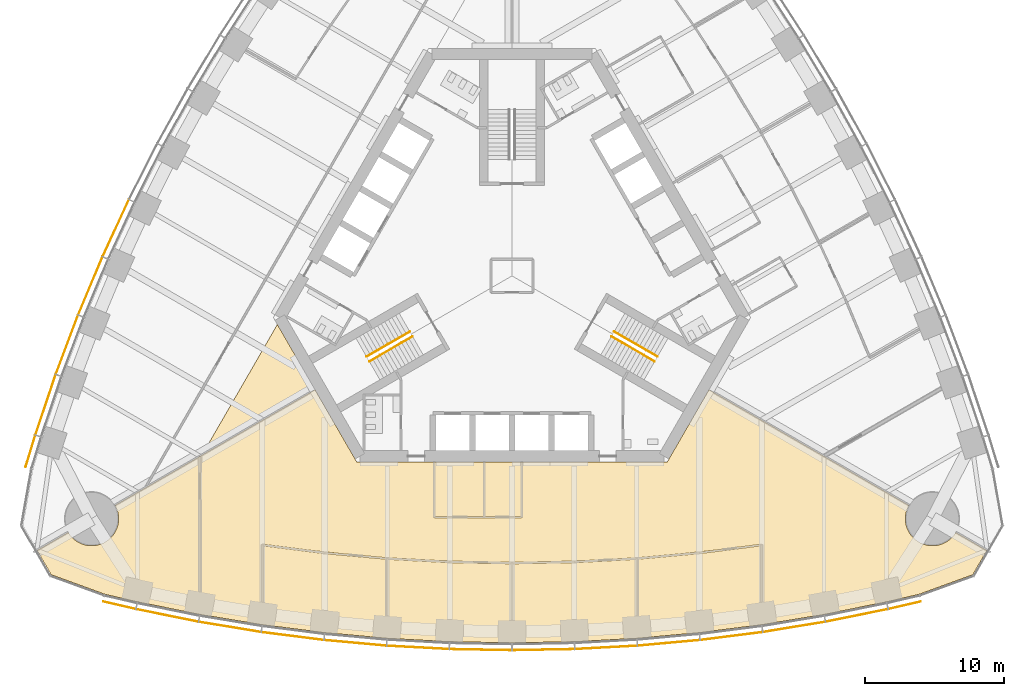
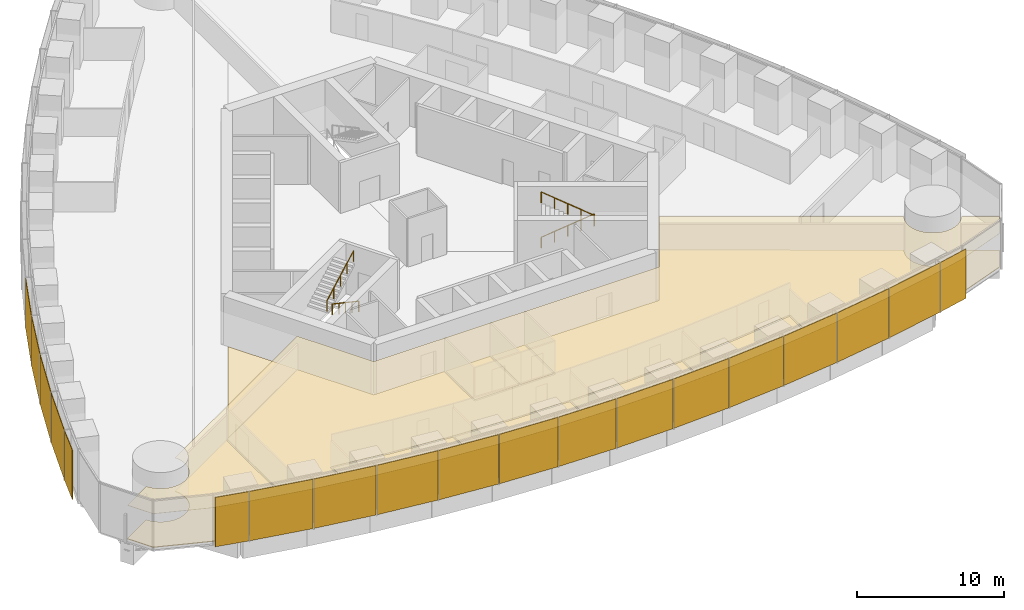
# One storey, part 14 of 18: 19 shading devices, 10 coverings, 4 railings.
"""IFC4 building model written with IfcOpenShell, lengths in metres."""

from ifc_helpers import new_model, si_unit, direction, frame, origin, origin_2d, place, context, subcontext, project, spatial, polyline, rectangle, circle, outline, extrude, material, layer, layer_set, type_object, element, save


model = new_model("IFC4")

# Units and contexts
model_context = context("Model", 3, precision=1e-05, world=origin(), true_north=direction((0.0, 1.0)))
body_context = subcontext(model_context, "Body", "Model", "MODEL_VIEW")
ifc_project = project(units=[si_unit("LENGTHUNIT", "METRE"), si_unit("AREAUNIT", "SQUARE_METRE"), si_unit("VOLUMEUNIT", "CUBIC_METRE"), si_unit("PLANEANGLEUNIT", "RADIAN"), si_unit("MASSUNIT", "GRAM", prefix="KILO")], contexts=[model_context])

# Site, building, storey
site_placement = place(None, origin())
site = spatial("IfcSite", under=ifc_project, at=site_placement, CompositionType="ELEMENT")
building_placement = place(site_placement, origin())
building = spatial("IfcBuilding", under=site, at=building_placement, Name="Trefoil Bronze Tower", CompositionType="ELEMENT")
storey_placement = place(building_placement, frame((0.0, 0.0, 170.300048828125)))
storey = spatial("IfcBuildingStorey", under=building, at=storey_placement, Name="L39", CompositionType="ELEMENT", Elevation=170.300048828125)

# Shading devices
ifc_material_1 = material(Name="Perforated bronze sheet", Category="bronze")
ifc_layer_1 = layer(ifc_material_1, 0.0400390625)
ifc_layer_set_1 = layer_set([ifc_layer_1], Name="Bronze solar screen panel")
shading_device_type = type_object("IfcShadingDeviceType", Name="Bronze solar screen panel", PredefinedType="SHUTTER", material=ifc_layer_set_1)
shading_device_1_placement = place(storey_placement, frame((-28.30078125, -23.748779296875, 0.0498046875), z_axis=(0.0, 0.0, 1.0), x_axis=(0.97420444715, -0.225667222151, 0.0)))
element("IfcShadingDevice", 1, at=shading_device_1_placement, inside=storey, type_object=shading_device_type, Name="Solar screen CW-A L39 F1 bay 1", PredefinedType="SHUTTER", context=body_context, shape_type="SweptSolid", body=[
    extrude(rectangle(XDim=2.39013671875, YDim=0.0400390625, at=origin_2d()), origin(), (0.0, 0.0, 1.0), 4.10009765625),
])
shading_device_2_placement = place(storey_placement, frame((-24.85693359375, -24.480224609375, 0.0498046875), z_axis=(0.0, 0.0, 1.0), x_axis=(0.980155155547, -0.198231861853, 0.0)))
element("IfcShadingDevice", 2, at=shading_device_2_placement, inside=storey, type_object=shading_device_type, Name="Solar screen CW-A L39 F1 bay 2", PredefinedType="SHUTTER", context=body_context, shape_type="SweptSolid", body=[
    extrude(rectangle(XDim=4.56103515625, YDim=0.0400390625, at=origin_2d()), origin(), (0.0, 0.0, 1.0), 4.10009765625),
])
shading_device_3_placement = place(storey_placement, frame((-20.337646484375, -25.30859375, 0.0498046875), z_axis=(0.0, 0.0, 1.0), x_axis=(0.986759655731, -0.162189339418, 0.0)))
element("IfcShadingDevice", 3, at=shading_device_3_placement, inside=storey, type_object=shading_device_type, Name="Solar screen CW-A L39 F1 bay 3", PredefinedType="SHUTTER", context=body_context, shape_type="SweptSolid", body=[
    extrude(rectangle(XDim=4.5302734375, YDim=0.0400390625, at=origin_2d()), origin(), (0.0, 0.0, 1.0), 4.10009765625),
])
shading_device_4_placement = place(storey_placement, frame((-15.818115234375, -25.96728515625, 0.0498046875), z_axis=(0.0, 0.0, 1.0), x_axis=(0.992011554286, -0.126147041833, 0.0)))
element("IfcShadingDevice", 4, at=shading_device_4_placement, inside=storey, type_object=shading_device_type, Name="Solar screen CW-A L39 F1 bay 4", PredefinedType="SHUTTER", context=body_context, shape_type="SweptSolid", body=[
    extrude(rectangle(XDim=4.50634765625, YDim=0.0400390625, at=origin_2d()), origin(), (0.0, 0.0, 1.0), 4.10009765625),
])
shading_device_5_placement = place(storey_placement, frame((-11.298583984375, -26.459228515625, 0.0498046875), z_axis=(0.0, 0.0, 1.0), x_axis=(0.995932279146, -0.090104913044, 0.0)))
element("IfcShadingDevice", 5, at=shading_device_5_placement, inside=storey, type_object=shading_device_type, Name="Solar screen CW-A L39 F1 bay 5", PredefinedType="SHUTTER", context=body_context, shape_type="SweptSolid", body=[
    extrude(rectangle(XDim=4.48828125, YDim=0.0400390625, at=origin_2d()), origin(), (0.0, 0.0, 1.0), 4.10009765625),
])
shading_device_6_placement = place(storey_placement, frame((-6.779296875, -26.785888671875, 0.0498046875), z_axis=(0.0, 0.0, 1.0), x_axis=(0.998537531923, -0.054062901701, 0.0)))
element("IfcShadingDevice", 6, at=shading_device_6_placement, inside=storey, type_object=shading_device_type, Name="Solar screen CW-A L39 F1 bay 6", PredefinedType="SHUTTER", context=body_context, shape_type="SweptSolid", body=[
    extrude(rectangle(XDim=4.4765625, YDim=0.0400390625, at=origin_2d()), origin(), (0.0, 0.0, 1.0), 4.10009765625),
])
for number, where, z_axis, x_axis, name in (
    (7, (-2.259765625, -26.948974609375, 0.0498046875), (0.0, 0.0, 1.0), (0.999837609322, -0.018020959612, 0.0), "Solar screen CW-A L39 F1 bay 7"),
    (8, (2.259765625, -26.948974609375, 0.0498046875), (0.0, 0.0, 1.0), (0.999837609322, 0.018020959612, 0.0), "Solar screen CW-A L39 F1 bay 8"),
):
    element("IfcShadingDevice", number, at=place(storey_placement, frame(where, z_axis=z_axis, x_axis=x_axis)), inside=storey, type_object=shading_device_type, Name=name, PredefinedType="SHUTTER", context=body_context, shape_type="SweptSolid", body=[
        extrude(rectangle(XDim=4.470703125, YDim=0.0400390625, at=origin_2d()), origin(), (0.0, 0.0, 1.0), 4.10009765625),
    ])
shading_device_7_placement = place(storey_placement, frame((6.779296875, -26.785888671875, 0.0498046875), z_axis=(0.0, 0.0, 1.0), x_axis=(0.998537531923, 0.054062901701, 0.0)))
element("IfcShadingDevice", 9, at=shading_device_7_placement, inside=storey, type_object=shading_device_type, Name="Solar screen CW-A L39 F1 bay 9", PredefinedType="SHUTTER", context=body_context, shape_type="SweptSolid", body=[
    extrude(rectangle(XDim=4.4765625, YDim=0.0400390625, at=origin_2d()), origin(), (0.0, 0.0, 1.0), 4.10009765625),
])
shading_device_8_placement = place(storey_placement, frame((11.298583984375, -26.459228515625, 0.0498046875), z_axis=(0.0, 0.0, 1.0), x_axis=(0.995932279146, 0.090104913044, 0.0)))
element("IfcShadingDevice", 10, at=shading_device_8_placement, inside=storey, type_object=shading_device_type, Name="Solar screen CW-A L39 F1 bay 10", PredefinedType="SHUTTER", context=body_context, shape_type="SweptSolid", body=[
    extrude(rectangle(XDim=4.48828125, YDim=0.0400390625, at=origin_2d()), origin(), (0.0, 0.0, 1.0), 4.10009765625),
])
shading_device_9_placement = place(storey_placement, frame((15.818115234375, -25.96728515625, 0.0498046875), z_axis=(0.0, 0.0, 1.0), x_axis=(0.992011554286, 0.126147041833, 0.0)))
element("IfcShadingDevice", 11, at=shading_device_9_placement, inside=storey, type_object=shading_device_type, Name="Solar screen CW-A L39 F1 bay 11", PredefinedType="SHUTTER", context=body_context, shape_type="SweptSolid", body=[
    extrude(rectangle(XDim=4.50634765625, YDim=0.0400390625, at=origin_2d()), origin(), (0.0, 0.0, 1.0), 4.10009765625),
])
shading_device_10_placement = place(storey_placement, frame((20.337646484375, -25.30859375, 0.0498046875), z_axis=(0.0, 0.0, 1.0), x_axis=(0.986759655731, 0.162189339418, 0.0)))
element("IfcShadingDevice", 12, at=shading_device_10_placement, inside=storey, type_object=shading_device_type, Name="Solar screen CW-A L39 F1 bay 12", PredefinedType="SHUTTER", context=body_context, shape_type="SweptSolid", body=[
    extrude(rectangle(XDim=4.5302734375, YDim=0.0400390625, at=origin_2d()), origin(), (0.0, 0.0, 1.0), 4.10009765625),
])
shading_device_11_placement = place(storey_placement, frame((24.85693359375, -24.480224609375, 0.0498046875), z_axis=(0.0, 0.0, 1.0), x_axis=(0.980155155547, 0.198231861853, 0.0)))
element("IfcShadingDevice", 13, at=shading_device_11_placement, inside=storey, type_object=shading_device_type, Name="Solar screen CW-A L39 F1 bay 13", PredefinedType="SHUTTER", context=body_context, shape_type="SweptSolid", body=[
    extrude(rectangle(XDim=4.56103515625, YDim=0.0400390625, at=origin_2d()), origin(), (0.0, 0.0, 1.0), 4.10009765625),
])
shading_device_12_placement = place(storey_placement, frame((28.30078125, -23.748779296875, 0.0498046875), z_axis=(0.0, 0.0, 1.0), x_axis=(0.97420444715, 0.225667222151, 0.0)))
element("IfcShadingDevice", 14, at=shading_device_12_placement, inside=storey, type_object=shading_device_type, Name="Solar screen CW-A L39 F1 bay 14", PredefinedType="SHUTTER", context=body_context, shape_type="SweptSolid", body=[
    extrude(rectangle(XDim=2.39013671875, YDim=0.0400390625, at=origin_2d()), origin(), (0.0, 0.0, 1.0), 4.10009765625),
])
shading_device_13_placement = place(storey_placement, frame((-28.563720703125, 3.444580078125, 0.0498046875), z_axis=(0.0, 0.0, 1.0), x_axis=(-0.419932995871, -0.907555110712, 0.0)))
element("IfcShadingDevice", 15, at=shading_device_13_placement, inside=storey, type_object=shading_device_type, Name="Solar screen CW-A L39 F3 bay 10", PredefinedType="SHUTTER", context=body_context, shape_type="SweptSolid", body=[
    extrude(rectangle(XDim=4.48828125, YDim=0.0400390625, at=origin_2d()), origin(), (0.0, 0.0, 1.0), 4.10009765625),
])
shading_device_14_placement = place(storey_placement, frame((-30.3974609375, -0.715087890625, 0.0498046875), z_axis=(0.0, 0.0, 1.0), x_axis=(-0.386759234303, -0.922180727776, 0.0)))
element("IfcShadingDevice", 16, at=shading_device_14_placement, inside=storey, type_object=shading_device_type, Name="Solar screen CW-A L39 F3 bay 11", PredefinedType="SHUTTER", context=body_context, shape_type="SweptSolid", body=[
    extrude(rectangle(XDim=4.50634765625, YDim=0.0400390625, at=origin_2d()), origin(), (0.0, 0.0, 1.0), 4.10009765625),
])
shading_device_15_placement = place(storey_placement, frame((-32.086669921875, -4.95849609375, 0.0498046875), z_axis=(0.0, 0.0, 1.0), x_axis=(-0.352919739707, -0.935653599002, 0.0)))
element("IfcShadingDevice", 17, at=shading_device_15_placement, inside=storey, type_object=shading_device_type, Name="Solar screen CW-A L39 F3 bay 12", PredefinedType="SHUTTER", context=body_context, shape_type="SweptSolid", body=[
    extrude(rectangle(XDim=4.5302734375, YDim=0.0400390625, at=origin_2d()), origin(), (0.0, 0.0, 1.0), 4.10009765625),
])
shading_device_16_placement = place(storey_placement, frame((-33.62890625, -9.286865234375, 0.0498046875), z_axis=(0.0, 0.0, 1.0), x_axis=(-0.318403749569, -0.947955195281, 0.0)))
element("IfcShadingDevice", 18, at=shading_device_16_placement, inside=storey, type_object=shading_device_type, Name="Solar screen CW-A L39 F3 bay 13", PredefinedType="SHUTTER", context=body_context, shape_type="SweptSolid", body=[
    extrude(rectangle(XDim=4.56103515625, YDim=0.0400390625, at=origin_2d()), origin(), (0.0, 0.0, 1.0), 4.10009765625),
])
shading_device_17_placement = place(storey_placement, frame((-34.717529296875, -12.634765625, 0.0498046875), z_axis=(0.0, 0.0, 1.0), x_axis=(-0.291668676391, -0.956519410787, 0.0)))
element("IfcShadingDevice", 19, at=shading_device_17_placement, inside=storey, type_object=shading_device_type, Name="Solar screen CW-A L39 F3 bay 14", PredefinedType="SHUTTER", context=body_context, shape_type="SweptSolid", body=[
    extrude(rectangle(XDim=2.39013671875, YDim=0.0400390625, at=origin_2d()), origin(), (0.0, 0.0, 1.0), 4.10009765625),
])

# Railings
ifc_material_2 = material(Name="Steel handrail", Category="steel")
railing_type = type_object("IfcRailingType", Name="Handrail 900", PredefinedType="HANDRAIL", material=ifc_material_2)
railing_1_placement = place(storey_placement, frame((7.365966796875, -4.021728515625, 0.161376953125)))
element("IfcRailing", 20, at=railing_1_placement, inside=storey, type_object=railing_type, Name="Handrail ST1 flight 1 L39", PredefinedType="HANDRAIL", context=body_context, shape_type="SweptSolid", body=[
    extrude(circle(Radius=0.02392578125, at=origin_2d()), frame((0.0, 0.0, 0.8759765625), z_axis=(0.76250339821, -0.440245697338, 0.474101564745), x_axis=(0.500012057535, 0.866018442252, 0.0)), (0.0, 0.0, 1.0), 4.088623046875),
    extrude(circle(Radius=0.02099609375, at=origin_2d()), origin(), (0.0, 0.0, 1.0), 0.851806640625),
    extrude(circle(Radius=0.02099609375, at=origin_2d()), frame((0.779296875, -0.449951171875, 0.484619140625)), (0.0, 0.0, 1.0), 0.851806640625),
    extrude(circle(Radius=0.02099609375, at=origin_2d()), frame((1.558837890625, -0.89990234375, 0.96923828125)), (0.0, 0.0, 1.0), 0.851806640625),
    extrude(circle(Radius=0.02099609375, at=origin_2d()), frame((2.33837890625, -1.35009765625, 1.453857421875)), (0.0, 0.0, 1.0), 0.851806640625),
    extrude(circle(Radius=0.02099609375, at=origin_2d()), frame((3.11767578125, -1.800048828125, 1.9384765625)), (0.0, 0.0, 1.0), 0.851806640625),
])
railing_2_placement = place(storey_placement, frame((10.28369140625, -6.168212890625, 2.261474609375)))
element("IfcRailing", 21, at=railing_2_placement, inside=storey, type_object=railing_type, Name="Handrail ST1 flight 2 L39", PredefinedType="HANDRAIL", context=body_context, shape_type="SweptSolid", body=[
    extrude(circle(Radius=0.02392578125, at=origin_2d()), frame((0.0, 0.0, 0.8759765625), z_axis=(-0.76250339821, 0.440245697338, 0.474101564745), x_axis=(-0.500012057535, -0.866018442252, 0.0)), (0.0, 0.0, 1.0), 4.088623046875),
    extrude(circle(Radius=0.02099609375, at=origin_2d()), origin(), (0.0, 0.0, 1.0), 0.851806640625),
    extrude(circle(Radius=0.02099609375, at=origin_2d()), frame((-0.779296875, 0.449951171875, 0.484619140625)), (0.0, 0.0, 1.0), 0.851806640625),
    extrude(circle(Radius=0.02099609375, at=origin_2d()), frame((-1.558837890625, 0.89990234375, 0.96923828125)), (0.0, 0.0, 1.0), 0.851806640625),
    extrude(circle(Radius=0.02099609375, at=origin_2d()), frame((-2.33837890625, 1.35009765625, 1.453857421875)), (0.0, 0.0, 1.0), 0.851806640625),
    extrude(circle(Radius=0.02099609375, at=origin_2d()), frame((-3.11767578125, 1.800048828125, 1.9384765625)), (0.0, 0.0, 1.0), 0.851806640625),
])
railing_3_placement = place(storey_placement, frame((-7.166015625, -4.3681640625, 0.161376953125)))
element("IfcRailing", 22, at=railing_3_placement, inside=storey, type_object=railing_type, Name="Handrail ST3 flight 1 L39", PredefinedType="HANDRAIL", context=body_context, shape_type="SweptSolid", body=[
    extrude(circle(Radius=0.02392578125, at=origin_2d()), frame((0.0, 0.0, 0.8759765625), z_axis=(-0.76250339821, -0.440245697338, 0.474101564745), x_axis=(0.500012057535, -0.866018442252, 0.0)), (0.0, 0.0, 1.0), 4.088623046875),
    extrude(circle(Radius=0.02099609375, at=origin_2d()), origin(), (0.0, 0.0, 1.0), 0.851806640625),
    extrude(circle(Radius=0.02099609375, at=origin_2d()), frame((-0.779296875, -0.449951171875, 0.484619140625)), (0.0, 0.0, 1.0), 0.851806640625),
    extrude(circle(Radius=0.02099609375, at=origin_2d()), frame((-1.558837890625, -0.89990234375, 0.96923828125)), (0.0, 0.0, 1.0), 0.851806640625),
    extrude(circle(Radius=0.02099609375, at=origin_2d()), frame((-2.33837890625, -1.35009765625, 1.453857421875)), (0.0, 0.0, 1.0), 0.851806640625),
    extrude(circle(Radius=0.02099609375, at=origin_2d()), frame((-3.11767578125, -1.800048828125, 1.9384765625)), (0.0, 0.0, 1.0), 0.851806640625),
])
railing_4_placement = place(storey_placement, frame((-10.483642578125, -5.82177734375, 2.261474609375)))
element("IfcRailing", 23, at=railing_4_placement, inside=storey, type_object=railing_type, Name="Handrail ST3 flight 2 L39", PredefinedType="HANDRAIL", context=body_context, shape_type="SweptSolid", body=[
    extrude(circle(Radius=0.02392578125, at=origin_2d()), frame((0.0, 0.0, 0.8759765625), z_axis=(0.76250339821, 0.440245697338, 0.474101564745), x_axis=(-0.500012057535, 0.866018442252, 0.0)), (0.0, 0.0, 1.0), 4.088623046875),
    extrude(circle(Radius=0.02099609375, at=origin_2d()), origin(), (0.0, 0.0, 1.0), 0.851806640625),
    extrude(circle(Radius=0.02099609375, at=origin_2d()), frame((0.779296875, 0.449951171875, 0.484619140625)), (0.0, 0.0, 1.0), 0.851806640625),
    extrude(circle(Radius=0.02099609375, at=origin_2d()), frame((1.558837890625, 0.89990234375, 0.96923828125)), (0.0, 0.0, 1.0), 0.851806640625),
    extrude(circle(Radius=0.02099609375, at=origin_2d()), frame((2.33837890625, 1.35009765625, 1.453857421875)), (0.0, 0.0, 1.0), 0.851806640625),
    extrude(circle(Radius=0.02099609375, at=origin_2d()), frame((3.11767578125, 1.800048828125, 1.9384765625)), (0.0, 0.0, 1.0), 0.851806640625),
])

# Coverings
ifc_material_3 = material(Name="Acoustic ceiling panels", Category="mineral fibre")
ifc_layer_2 = layer(ifc_material_3, 0.02001953125)
ifc_layer_set_2 = layer_set([ifc_layer_2], Name="Office ceiling 20")
covering_type_1 = type_object("IfcCoveringType", Name="Office ceiling 20", PredefinedType="CEILING", material=ifc_layer_set_2)
covering_1_placement = place(storey_placement, frame((0.0, 0.0, 2.89990234375)))
element("IfcCovering", 24, at=covering_1_placement, inside=storey, type_object=covering_type_1, Name="Ceiling L39 PA area F1", PredefinedType="CEILING", context=body_context, shape_type="SweptSolid", body=[
    extrude(outline(polyline([(-31.932373046875, -18.58349609375), (-31.877197265625, -18.66162109375), (-31.818359375, -18.737060546875), (-31.755615234375, -18.8095703125), (-31.689697265625, -18.87890625), (-31.620361328125, -18.94482421875), (-31.548095703125, -19.00732421875), (-31.472412109375, -19.06640625), (-31.394287109375, -19.121337890625), (-31.3134765625, -19.172607421875), (-31.22998046875, -19.2197265625), (-31.14453125, -19.2626953125), (-31.05712890625, -19.301513671875), (-30.9677734375, -19.3359375), (-30.876953125, -19.365966796875), (-30.78466796875, -19.3916015625), (-30.69140625, -19.41259765625), (-30.596923828125, -19.428955078125), (-30.501953125, -19.440673828125), (-30.406494140625, -19.44775390625), (-30.310791015625, -19.449951171875), (-30.215087890625, -19.44775390625), (-30.119873046875, -19.440673828125), (-30.02490234375, -19.428955078125), (-29.930419921875, -19.41259765625), (-29.837158203125, -19.3916015625), (-29.744873046875, -19.365966796875), (-29.654052734375, -19.3359375), (-29.564697265625, -19.301513671875), (-29.477294921875, -19.2626953125), (-29.3916015625, -19.2197265625), (-29.308349609375, -19.172607421875), (-29.2275390625, -19.121337890625), (-29.1494140625, -19.06640625), (-29.07373046875, -19.00732421875), (-29.001220703125, -18.94482421875), (-28.931884765625, -18.87890625), (-28.865966796875, -18.8095703125), (-28.803466796875, -18.737060546875), (-28.74462890625, -18.66162109375), (-28.689453125, -18.58349609375), (-28.63818359375, -18.50244140625), (-28.591064453125, -18.419189453125), (-28.548095703125, -18.333740234375), (-28.50927734375, -18.24609375), (-28.474853515625, -18.156982421875), (-28.44482421875, -18.066162109375), (-28.419189453125, -17.973876953125), (-28.3984375, -17.88037109375), (-28.382080078125, -17.7861328125), (-28.370361328125, -17.691162109375), (-28.36328125, -17.595703125), (-28.36083984375, -17.5), (-28.36328125, -17.404296875), (-28.370361328125, -17.308837890625), (-28.382080078125, -17.2138671875), (-28.3984375, -17.11962890625), (-28.419189453125, -17.026123046875), (-28.44482421875, -16.933837890625), (-28.474853515625, -16.843017578125), (-28.50927734375, -16.75390625), (-28.548095703125, -16.666259765625), (-28.591064453125, -16.580810546875), (-28.616455078125, -16.535888671875), (-14.19970703125, -8.205322265625), (-11.20068359375, -13.39990234375), (11.20068359375, -13.39990234375), (14.19970703125, -8.205322265625), (28.616455078125, -16.535888671875), (28.591064453125, -16.580810546875), (28.548095703125, -16.666259765625), (28.50927734375, -16.75390625), (28.474853515625, -16.843017578125), (28.44482421875, -16.933837890625), (28.419189453125, -17.026123046875), (28.3984375, -17.11962890625), (28.382080078125, -17.2138671875), (28.370361328125, -17.308837890625), (28.36328125, -17.404296875), (28.36083984375, -17.5), (28.36328125, -17.595703125), (28.370361328125, -17.691162109375), (28.382080078125, -17.7861328125), (28.3984375, -17.88037109375), (28.419189453125, -17.973876953125), (28.44482421875, -18.066162109375), (28.474853515625, -18.156982421875), (28.50927734375, -18.24609375), (28.548095703125, -18.333740234375), (28.591064453125, -18.419189453125), (28.63818359375, -18.50244140625), (28.689453125, -18.58349609375), (28.74462890625, -18.66162109375), (28.803466796875, -18.737060546875), (28.865966796875, -18.8095703125), (28.931884765625, -18.87890625), (29.001220703125, -18.94482421875), (29.07373046875, -19.00732421875), (29.1494140625, -19.06640625), (29.2275390625, -19.121337890625), (29.308349609375, -19.172607421875), (29.3916015625, -19.2197265625), (29.477294921875, -19.2626953125), (29.564697265625, -19.301513671875), (29.654052734375, -19.3359375), (29.744873046875, -19.365966796875), (29.837158203125, -19.3916015625), (29.930419921875, -19.41259765625), (30.02490234375, -19.428955078125), (30.119873046875, -19.440673828125), (30.215087890625, -19.44775390625), (30.310791015625, -19.449951171875), (30.406494140625, -19.44775390625), (30.501953125, -19.440673828125), (30.596923828125, -19.428955078125), (30.69140625, -19.41259765625), (30.78466796875, -19.3916015625), (30.876953125, -19.365966796875), (30.9677734375, -19.3359375), (31.05712890625, -19.301513671875), (31.14453125, -19.2626953125), (31.22998046875, -19.2197265625), (31.3134765625, -19.172607421875), (31.394287109375, -19.121337890625), (31.472412109375, -19.06640625), (31.548095703125, -19.00732421875), (31.620361328125, -18.94482421875), (31.689697265625, -18.87890625), (31.755615234375, -18.8095703125), (31.818359375, -18.737060546875), (31.877197265625, -18.66162109375), (31.932373046875, -18.58349609375), (31.992431640625, -18.48681640625), (34.233154296875, -19.781494140625), (33.21435546875, -21.5458984375), (29.357666015625, -22.94970703125), (27.0, -23.495849609375), (22.5, -24.406005859375), (18.0, -25.1455078125), (13.5, -25.7177734375), (9.0, -26.125), (4.5, -26.36865234375), (0.0, -26.44970703125), (-4.5, -26.36865234375), (-9.0, -26.125), (-13.5, -25.7177734375), (-18.0, -25.1455078125), (-22.5, -24.406005859375), (-27.0, -23.495849609375), (-29.357666015625, -22.94970703125), (-33.21435546875, -21.5458984375), (-34.233154296875, -19.781494140625), (-31.992431640625, -18.48681640625), (-31.932373046875, -18.58349609375)])), origin(), (0.0, 0.0, 1.0), 0.02001953125),
])
ifc_material_4 = material(Name="Raised access floor panels", Category="steel")
ifc_layer_3 = layer(ifc_material_4, 0.050048828125)
ifc_layer_set_3 = layer_set([ifc_layer_3], Name="Raised access floor 150")
covering_type_2 = type_object("IfcCoveringType", Name="Raised access floor 150", PredefinedType="FLOORING", material=ifc_layer_set_3)
covering_2_placement = place(storey_placement, frame((0.0, 0.0, 0.099853515625)))
element("IfcCovering", 25, at=covering_2_placement, inside=storey, type_object=covering_type_2, Name="Raised floor L39 Dining room F1", PredefinedType="FLOORING", context=body_context, shape_type="SweptSolid", body=[
    extrude(outline(polyline([(-28.616455078125, -16.535888671875), (-22.5, -13.001708984375), (-22.5, -13.051513671875), (-22.56005859375, -13.051513671875), (-22.56005859375, -22.748779296875), (-22.5, -22.748779296875), (-22.5, -24.406005859375), (-27.0, -23.495849609375), (-29.357666015625, -22.94970703125), (-33.21435546875, -21.5458984375), (-34.233154296875, -19.781494140625), (-31.992431640625, -18.48681640625), (-31.932373046875, -18.58349609375), (-31.877197265625, -18.66162109375), (-31.818359375, -18.737060546875), (-31.755615234375, -18.8095703125), (-31.689697265625, -18.87890625), (-31.620361328125, -18.94482421875), (-31.548095703125, -19.00732421875), (-31.472412109375, -19.06640625), (-31.394287109375, -19.121337890625), (-31.3134765625, -19.172607421875), (-31.22998046875, -19.2197265625), (-31.14453125, -19.2626953125), (-31.05712890625, -19.301513671875), (-30.9677734375, -19.3359375), (-30.876953125, -19.365966796875), (-30.78466796875, -19.3916015625), (-30.69140625, -19.41259765625), (-30.596923828125, -19.428955078125), (-30.501953125, -19.440673828125), (-30.406494140625, -19.44775390625), (-30.310791015625, -19.449951171875), (-30.215087890625, -19.44775390625), (-30.119873046875, -19.440673828125), (-30.02490234375, -19.428955078125), (-29.930419921875, -19.41259765625), (-29.837158203125, -19.3916015625), (-29.744873046875, -19.365966796875), (-29.654052734375, -19.3359375), (-29.564697265625, -19.301513671875), (-29.477294921875, -19.2626953125), (-29.3916015625, -19.2197265625), (-29.308349609375, -19.172607421875), (-29.2275390625, -19.121337890625), (-29.1494140625, -19.06640625), (-29.07373046875, -19.00732421875), (-29.001220703125, -18.94482421875), (-28.931884765625, -18.87890625), (-28.865966796875, -18.8095703125), (-28.803466796875, -18.737060546875), (-28.74462890625, -18.66162109375), (-28.689453125, -18.58349609375), (-28.63818359375, -18.50244140625), (-28.591064453125, -18.419189453125), (-28.548095703125, -18.333740234375), (-28.50927734375, -18.24609375), (-28.474853515625, -18.156982421875), (-28.44482421875, -18.066162109375), (-28.419189453125, -17.973876953125), (-28.3984375, -17.88037109375), (-28.382080078125, -17.7861328125), (-28.370361328125, -17.691162109375), (-28.36328125, -17.595703125), (-28.36083984375, -17.5), (-28.36328125, -17.404296875), (-28.370361328125, -17.308837890625), (-28.382080078125, -17.2138671875), (-28.3984375, -17.11962890625), (-28.419189453125, -17.026123046875), (-28.44482421875, -16.933837890625), (-28.474853515625, -16.843017578125), (-28.50927734375, -16.75390625), (-28.548095703125, -16.666259765625), (-28.591064453125, -16.580810546875), (-28.616455078125, -16.535888671875)])), origin(), (0.0, 0.0, 1.0), 0.050048828125),
])
covering_3_placement = place(storey_placement, frame((0.0, 0.0, 0.099853515625)))
element("IfcCovering", 26, at=covering_3_placement, inside=storey, type_object=covering_type_2, Name="Raised floor L39 Meeting room F1", PredefinedType="FLOORING", context=body_context, shape_type="SweptSolid", body=[
    extrude(outline(polyline([(-2.06005859375, -13.39990234375), (-2.06005859375, -17.340087890625), (-5.5400390625, -17.340087890625), (-5.5400390625, -13.39990234375), (-2.06005859375, -13.39990234375)])), origin(), (0.0, 0.0, 1.0), 0.050048828125),
])
covering_4_placement = place(storey_placement, frame((0.0, 0.0, 0.099853515625)))
element("IfcCovering", 27, at=covering_4_placement, inside=storey, type_object=covering_type_2, Name="Raised floor L39 Pantry F1", PredefinedType="FLOORING", context=body_context, shape_type="SweptSolid", body=[
    extrude(outline(polyline([(0.639892578125, -13.39990234375), (0.639892578125, -17.340087890625), (-1.93994140625, -17.340087890625), (-1.93994140625, -13.39990234375), (0.639892578125, -13.39990234375)])), origin(), (0.0, 0.0, 1.0), 0.050048828125),
])
covering_5_placement = place(storey_placement, frame((0.0, 0.0, 0.099853515625)))
element("IfcCovering", 28, at=covering_5_placement, inside=storey, type_object=covering_type_2, Name="Raised floor L39 Executive office F1", PredefinedType="FLOORING", context=body_context, shape_type="SweptSolid", body=[
    extrude(outline(polyline([(-13.5, -25.7177734375), (-18.0, -25.1455078125), (-18.0, -23.49853515625), (-17.93994140625, -23.49853515625), (-17.93994140625, -19.463623046875), (-13.507568359375, -20.02734375), (-13.5, -19.9677734375), (-13.50537109375, -20.027587890625), (-9.06005859375, -20.4296875), (-9.06005859375, -24.49072265625), (-9.0, -24.49072265625), (-9.0, -26.125), (-13.5, -25.7177734375)])), origin(), (0.0, 0.0, 1.0), 0.050048828125),
])
covering_6_placement = place(storey_placement, frame((0.0, 0.0, 0.099853515625)))
element("IfcCovering", 29, at=covering_6_placement, inside=storey, type_object=covering_type_2, Name="Raised floor L39 Executive office F1", PredefinedType="FLOORING", context=body_context, shape_type="SweptSolid", body=[
    extrude(outline(polyline([(-4.5, -26.36865234375), (-9.0, -26.125), (-9.0, -24.49072265625), (-8.93994140625, -24.49072265625), (-8.93994140625, -20.438232421875), (-4.503173828125, -20.678466796875), (-4.5, -20.61865234375), (-4.501220703125, -20.6787109375), (-0.06005859375, -20.758544921875), (-0.06005859375, -24.819580078125), (0.0, -24.819580078125), (0.0, -26.44970703125), (-4.5, -26.36865234375)])), origin(), (0.0, 0.0, 1.0), 0.050048828125),
])
covering_7_placement = place(storey_placement, frame((0.0, 0.0, 0.099853515625)))
element("IfcCovering", 30, at=covering_7_placement, inside=storey, type_object=covering_type_2, Name="Raised floor L39 Executive office F1", PredefinedType="FLOORING", context=body_context, shape_type="SweptSolid", body=[
    extrude(outline(polyline([(4.5, -26.36865234375), (0.0, -26.44970703125), (0.0, -24.819580078125), (0.06005859375, -24.819580078125), (0.06005859375, -20.758544921875), (4.501220703125, -20.6787109375), (4.5, -20.61865234375), (4.503173828125, -20.678466796875), (8.93994140625, -20.438232421875), (8.93994140625, -24.49072265625), (9.0, -24.49072265625), (9.0, -26.125), (4.5, -26.36865234375)])), origin(), (0.0, 0.0, 1.0), 0.050048828125),
])
covering_8_placement = place(storey_placement, frame((0.0, 0.0, 0.099853515625)))
element("IfcCovering", 31, at=covering_8_placement, inside=storey, type_object=covering_type_2, Name="Raised floor L39 Executive office F1", PredefinedType="FLOORING", context=body_context, shape_type="SweptSolid", body=[
    extrude(outline(polyline([(13.5, -25.7177734375), (9.0, -26.125), (9.0, -24.49072265625), (9.06005859375, -24.49072265625), (9.06005859375, -20.4296875), (13.50537109375, -20.027587890625), (13.5, -19.9677734375), (13.507568359375, -20.02734375), (17.93994140625, -19.463623046875), (17.93994140625, -23.49853515625), (18.0, -23.49853515625), (18.0, -25.1455078125), (13.5, -25.7177734375)])), origin(), (0.0, 0.0, 1.0), 0.050048828125),
])
covering_9_placement = place(storey_placement, frame((0.0, 0.0, 0.099853515625)))
element("IfcCovering", 32, at=covering_9_placement, inside=storey, type_object=covering_type_2, Name="Raised floor L39 PA area F1", PredefinedType="FLOORING", context=body_context, shape_type="SweptSolid", body=[
    extrude(outline(polyline([(-11.20068359375, -13.39990234375), (-5.659912109375, -13.39990234375), (-5.659912109375, -17.39990234375), (-5.60009765625, -17.39990234375), (-5.60009765625, -17.4599609375), (0.699951171875, -17.4599609375), (0.699951171875, -17.39990234375), (0.760009765625, -17.39990234375), (0.760009765625, -13.39990234375), (11.20068359375, -13.39990234375), (14.19970703125, -8.205322265625), (28.616455078125, -16.535888671875), (28.591064453125, -16.580810546875), (28.548095703125, -16.666259765625), (28.50927734375, -16.75390625), (28.474853515625, -16.843017578125), (28.44482421875, -16.933837890625), (28.419189453125, -17.026123046875), (28.3984375, -17.11962890625), (28.382080078125, -17.2138671875), (28.370361328125, -17.308837890625), (28.36328125, -17.404296875), (28.36083984375, -17.5), (28.36328125, -17.595703125), (28.370361328125, -17.691162109375), (28.382080078125, -17.7861328125), (28.3984375, -17.88037109375), (28.419189453125, -17.973876953125), (28.44482421875, -18.066162109375), (28.474853515625, -18.156982421875), (28.50927734375, -18.24609375), (28.548095703125, -18.333740234375), (28.591064453125, -18.419189453125), (28.63818359375, -18.50244140625), (28.689453125, -18.58349609375), (28.74462890625, -18.66162109375), (28.803466796875, -18.737060546875), (28.865966796875, -18.8095703125), (28.931884765625, -18.87890625), (29.001220703125, -18.94482421875), (29.07373046875, -19.00732421875), (29.1494140625, -19.06640625), (29.2275390625, -19.121337890625), (29.308349609375, -19.172607421875), (29.3916015625, -19.2197265625), (29.477294921875, -19.2626953125), (29.564697265625, -19.301513671875), (29.654052734375, -19.3359375), (29.744873046875, -19.365966796875), (29.837158203125, -19.3916015625), (29.930419921875, -19.41259765625), (30.02490234375, -19.428955078125), (30.119873046875, -19.440673828125), (30.215087890625, -19.44775390625), (30.310791015625, -19.449951171875), (30.406494140625, -19.44775390625), (30.501953125, -19.440673828125), (30.596923828125, -19.428955078125), (30.69140625, -19.41259765625), (30.78466796875, -19.3916015625), (30.876953125, -19.365966796875), (30.9677734375, -19.3359375), (31.05712890625, -19.301513671875), (31.14453125, -19.2626953125), (31.22998046875, -19.2197265625), (31.3134765625, -19.172607421875), (31.394287109375, -19.121337890625), (31.472412109375, -19.06640625), (31.548095703125, -19.00732421875), (31.620361328125, -18.94482421875), (31.689697265625, -18.87890625), (31.755615234375, -18.8095703125), (31.818359375, -18.737060546875), (31.877197265625, -18.66162109375), (31.932373046875, -18.58349609375), (31.992431640625, -18.48681640625), (34.233154296875, -19.781494140625), (33.21435546875, -21.5458984375), (29.357666015625, -22.94970703125), (27.0, -23.495849609375), (22.5, -24.406005859375), (18.0, -25.1455078125), (18.0, -23.49853515625), (18.06005859375, -23.49853515625), (18.06005859375, -19.3955078125), (18.0, -19.3955078125), (17.992431640625, -19.3359375), (14.702880859375, -19.75439453125), (12.283935546875, -20.017578125), (8.99560546875, -20.315185546875), (5.672607421875, -20.4951171875), (3.322998046875, -20.579833984375), (0.0, -20.6396484375), (-3.322998046875, -20.579833984375), (-5.672607421875, -20.4951171875), (-8.99560546875, -20.315185546875), (-12.283935546875, -20.017578125), (-14.702880859375, -19.75439453125), (-17.992431640625, -19.3359375), (-18.0, -19.3955078125), (-18.06005859375, -19.3955078125), (-18.06005859375, -23.49853515625), (-18.0, -23.49853515625), (-18.0, -25.1455078125), (-22.5, -24.406005859375), (-22.5, -22.748779296875), (-22.43994140625, -22.748779296875), (-22.43994140625, -13.051513671875), (-22.5, -13.051513671875), (-22.5, -13.001708984375), (-14.19970703125, -8.205322265625), (-11.20068359375, -13.39990234375)])), origin(), (0.0, 0.0, 1.0), 0.050048828125),
])
covering_10_placement = place(storey_placement, frame((0.0, 0.0, 0.099853515625)))
element("IfcCovering", 33, at=covering_10_placement, inside=storey, type_object=covering_type_2, Name="Raised floor L39 PA area F3", PredefinedType="FLOORING", context=body_context, shape_type="SweptSolid", body=[
    extrude(outline(polyline([(-14.205810546875, -8.194580078125), (-22.333740234375, -12.88330078125), (-16.91650390625, -3.5), (-14.205810546875, -8.194580078125)])), origin(), (0.0, 0.0, 1.0), 0.050048828125),
])

save(model, "model.ifc")
